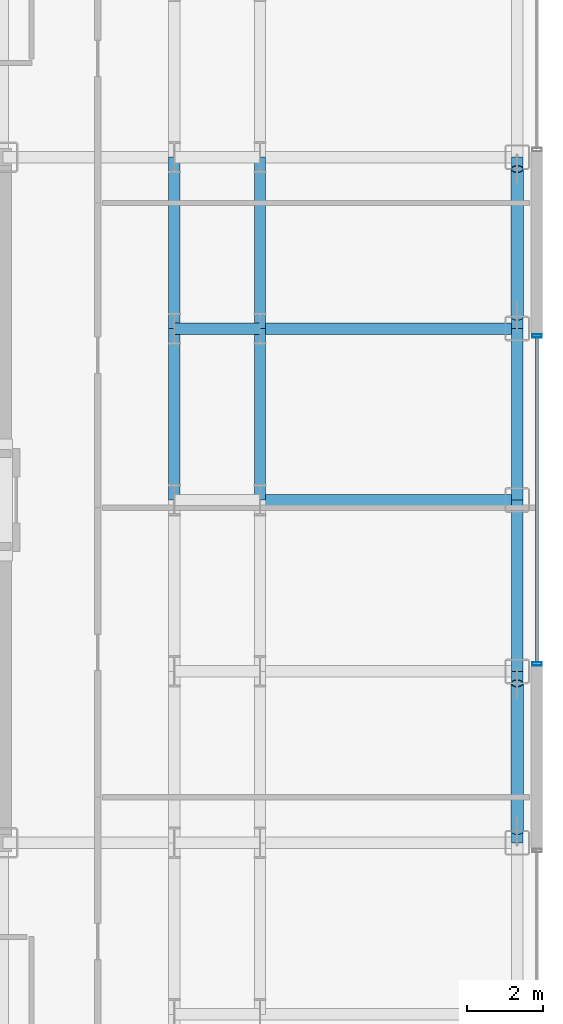
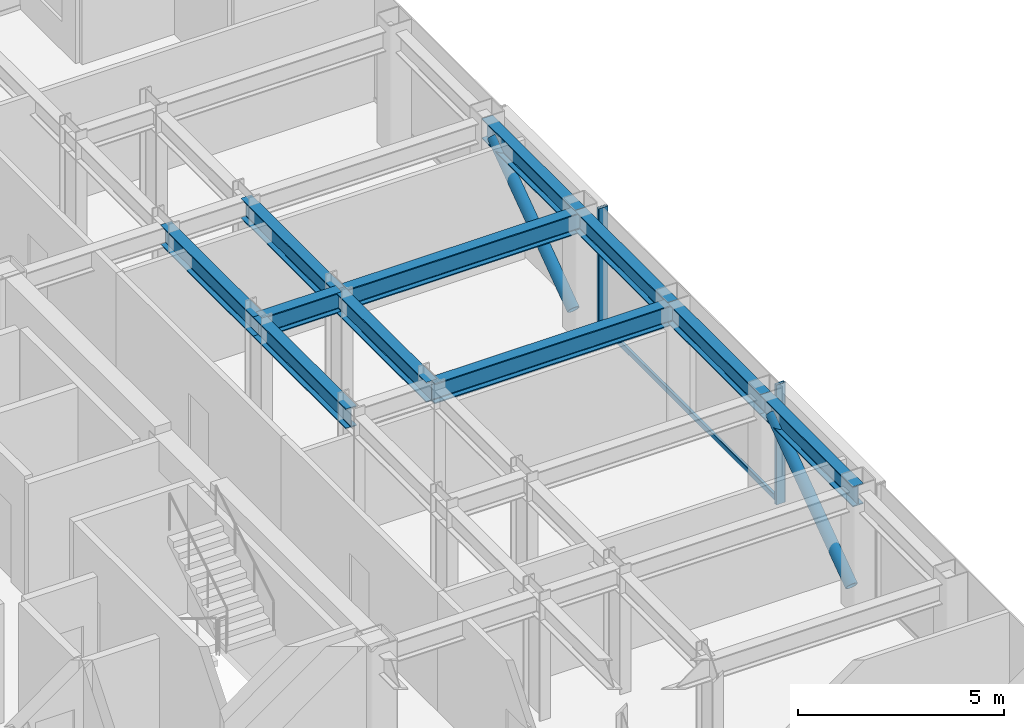
# One storey, part 8 of 21: 11 beams, 5 members, 1 element without a shape of its own.
"""IFC4 building model written with IfcOpenShell, lengths in metres."""

from ifc_helpers import new_model, si_unit, direction, frame, origin, origin_2d, place, context, subcontext, project, spatial, hollow_rectangle, hollow_circle, i_section, extrude, source, transform, mapped, material, layer, layer_set, material_profile, profile_set, type_object, element, aggregate, save


model = new_model("IFC4")

# Units and contexts
model_context = context("Model", 3, precision=1e-05, world=origin(), true_north=direction((0.0, 1.0)))
body_context = subcontext(model_context, "Body", "Model", "MODEL_VIEW")
ifc_project = project(units=[si_unit("LENGTHUNIT", "METRE"), si_unit("AREAUNIT", "SQUARE_METRE"), si_unit("VOLUMEUNIT", "CUBIC_METRE"), si_unit("PLANEANGLEUNIT", "RADIAN"), si_unit("MASSUNIT", "GRAM", prefix="KILO")], contexts=[model_context])

# Site, building, storey
site_placement = place(None, origin())
site = spatial("IfcSite", under=ifc_project, at=site_placement, CompositionType="ELEMENT")
building_placement = place(site_placement, origin())
building = spatial("IfcBuilding", under=site, at=building_placement, Name="Nefas-Gora Pilgrimage Tower", CompositionType="ELEMENT")
storey_placement = place(building_placement, frame((0.0, 0.0, 229.39990234375)))
storey = spatial("IfcBuildingStorey", under=building, at=storey_placement, Name="L57", CompositionType="ELEMENT", Elevation=229.39990234375)

# Beams
ifc_material_1 = material(Name="Steel S355", Category="steel")
ifc_material_profile_1 = material_profile(ifc_material_1, i_section(OverallWidth=0.300048828125, OverallDepth=0.60009765625, WebThickness=0.015380859375, FlangeThickness=0.030029296875, FilletRadius=0.027099609375, at=origin_2d()), Name="HEB 600")
ifc_profile_set_1 = profile_set([ifc_material_profile_1], Name="Steel S355")
beam_type_1 = type_object("IfcBeamType", Name="BM-SPN-HEB450", PredefinedType="SPANDREL", material=ifc_profile_set_1)
shared_shape_1 = source(origin(), body_context, "Body", "SweptSolid", [
    extrude(i_section(OverallWidth=0.300048828125, OverallDepth=0.60009765625, WebThickness=0.015380859375, FlangeThickness=0.030029296875, FilletRadius=0.027099609375, at=origin_2d()), origin(), (0.0, 0.0, 1.0), 4.5),
])
for number, where, z_axis, x_axis, name in (
    (1, (24.75, -9.0, 3.25), (0.0, 1.0, 0.0), (-1.0, 0.0, 0.0), "L57 SP-03 beam"),
    (2, (24.75, -4.5, 3.25), (0.0, 1.0, 0.0), (-1.0, 0.0, 0.0), "L57 SP-03 beam"),
    (3, (24.75, 0.0, 3.25), (0.0, 1.0, 0.0), (-1.0, 0.0, 0.0), "L57 SP-03 beam"),
    (4, (24.75, 4.5, 3.25), (0.0, 1.0, 0.0), (-1.0, 0.0, 0.0), "L57 SP-03 beam"),
):
    element("IfcBeam", number, at=place(storey_placement, frame(where, z_axis=z_axis, x_axis=x_axis)), inside=storey, type_object=beam_type_1, Name=name, PredefinedType="SPANDREL", context=body_context, shape_type="MappedRepresentation", body=[
        mapped(shared_shape_1, transform((0.0, 0.0, 0.0), x_axis=(1.0, 0.0, 0.0), y_axis=(0.0, 1.0, 0.0), z_axis=(0.0, 0.0, 1.0), scale=1.0)),
    ])
ifc_material_profile_2 = material_profile(ifc_material_1, i_section(OverallWidth=0.300048828125, OverallDepth=0.60009765625, WebThickness=0.015380859375, FlangeThickness=0.030029296875, FilletRadius=0.027099609375, at=origin_2d()), Name="HEB 600")
ifc_profile_set_2 = profile_set([ifc_material_profile_2], Name="Steel S355")
beam_type_2 = type_object("IfcBeamType", Name="BM-GIR-HEB600", PredefinedType="BEAM", material=ifc_profile_set_2)
shared_shape_2 = source(origin(), body_context, "Body", "SweptSolid", [
    extrude(i_section(OverallWidth=0.300048828125, OverallDepth=0.60009765625, WebThickness=0.015380859375, FlangeThickness=0.030029296875, FilletRadius=0.027099609375, at=origin_2d()), origin(), (0.0, 0.0, 1.0), 4.5),
])
for number, where, z_axis, x_axis, name in (
    (5, (15.75, 0.0, 3.25), (0.0, 1.0, 0.0), (-1.0, 0.0, 0.0), "L57 G-04 beam"),
    (6, (15.75, 4.5, 3.25), (0.0, 1.0, 0.0), (-1.0, 0.0, 0.0), "L57 G-04 beam"),
    (7, (18.0, 0.0, 3.25), (0.0, 1.0, 0.0), (-1.0, 0.0, 0.0), "L57 G-04 beam"),
    (8, (18.0, 4.5, 3.25), (0.0, 1.0, 0.0), (-1.0, 0.0, 0.0), "L57 G-04 beam"),
):
    element("IfcBeam", number, at=place(storey_placement, frame(where, z_axis=z_axis, x_axis=x_axis)), inside=storey, type_object=beam_type_2, Name=name, PredefinedType="BEAM", context=body_context, shape_type="MappedRepresentation", body=[
        mapped(shared_shape_2, transform((0.0, 0.0, 0.0), x_axis=(1.0, 0.0, 0.0), y_axis=(0.0, 1.0, 0.0), z_axis=(0.0, 0.0, 1.0), scale=1.0)),
    ])
shared_shape_3 = source(origin(), body_context, "Body", "SweptSolid", [
    extrude(i_section(OverallWidth=0.300048828125, OverallDepth=0.60009765625, WebThickness=0.015380859375, FlangeThickness=0.030029296875, FilletRadius=0.027099609375, at=origin_2d()), origin(), (0.0, 0.0, 1.0), 6.75),
])
for number, where, z_axis, x_axis, name in (
    (9, (18.0, 0.0, 3.25), (1.0, 0.0, 0.0), (0.0, 1.0, 0.0), "L57 G-04 beam"),
    (10, (18.0, 4.5, 3.25), (1.0, 0.0, 0.0), (0.0, 1.0, 0.0), "L57 G-04 beam"),
):
    element("IfcBeam", number, at=place(storey_placement, frame(where, z_axis=z_axis, x_axis=x_axis)), inside=storey, type_object=beam_type_2, Name=name, PredefinedType="BEAM", context=body_context, shape_type="MappedRepresentation", body=[
        mapped(shared_shape_3, transform((0.0, 0.0, 0.0), x_axis=(1.0, 0.0, 0.0), y_axis=(0.0, 1.0, 0.0), z_axis=(0.0, 0.0, 1.0), scale=1.0)),
    ])
shared_shape_4 = source(origin(), body_context, "Body", "SweptSolid", [
    extrude(i_section(OverallWidth=0.300048828125, OverallDepth=0.60009765625, WebThickness=0.015380859375, FlangeThickness=0.030029296875, FilletRadius=0.027099609375, at=origin_2d()), origin(), (0.0, 0.0, 1.0), 2.25),
])
beam_placement = place(storey_placement, frame((15.75, 4.5, 3.25), z_axis=(1.0, 0.0, 0.0), x_axis=(0.0, 1.0, 0.0)))
element("IfcBeam", 11, at=beam_placement, inside=storey, type_object=beam_type_2, Name="L57 G-04 beam", PredefinedType="BEAM", context=body_context, shape_type="MappedRepresentation", body=[
    mapped(shared_shape_4, transform((0.0, 0.0, 0.0), x_axis=(1.0, 0.0, 0.0), y_axis=(0.0, 1.0, 0.0), z_axis=(0.0, 0.0, 1.0), scale=1.0)),
])

# Members
ifc_material_profile_3 = material_profile(ifc_material_1, hollow_circle(Radius=0.161865234375, WallThickness=0.02001953125, at=origin_2d()), Name="CHS 323.9x20")
ifc_profile_set_3 = profile_set([ifc_material_profile_3], Name="Steel S355")
member_type_1 = type_object("IfcMemberType", Name="MEM-TUBE-324", PredefinedType="BRACE", material=ifc_profile_set_3)
shared_shape_5 = source(origin(), body_context, "Body", "SweptSolid", [
    extrude(hollow_circle(Radius=0.161865234375, WallThickness=0.02001953125, at=origin_2d()), origin(), (0.0, 0.0, 1.0), 4.763671875),
])
for number, where, z_axis, x_axis, name in (
    (12, (24.75, -8.68701171875, 0.3740234375), (0.0, 0.813255312614, 0.581907034246), (-1.0, 0.0, 0.0), "L57 Perimeter Tube Diagonal Brace E1"),
    (13, (24.75, 4.81298828125, 0.3740234375), (0.0, 0.813255312614, 0.581907034246), (-1.0, 0.0, 0.0), "L57 Perimeter Tube Diagonal Brace E2"),
):
    element("IfcMember", number, at=place(storey_placement, frame(where, z_axis=z_axis, x_axis=x_axis)), inside=storey, type_object=member_type_1, Name=name, PredefinedType="BRACE", context=body_context, shape_type="MappedRepresentation", body=[
        mapped(shared_shape_5, transform((0.0, 0.0, 0.0), x_axis=(1.0, 0.0, 0.0), y_axis=(0.0, 1.0, 0.0), z_axis=(0.0, 0.0, 1.0), scale=1.0)),
    ])

# Curtain wall, members
ifc_material_2 = material(Name="Dark ceramic-fritted solar-control aluminium-glass curtain wall", Category="aluminium")
ifc_layer = layer(ifc_material_2, 0.219970703125)
ifc_layer_set = layer_set([ifc_layer], Name="Dark ceramic-fritted solar-control aluminium-glass curtain wall")
curtain_wall_type = type_object("IfcCurtainWallType", Name="CW-SYS-3", PredefinedType="NOTDEFINED", material=ifc_layer_set)
curtain_wall_placement = place(storey_placement, origin())
curtain_wall = element("IfcCurtainWall", 14, at=curtain_wall_placement, inside=storey, type_object=curtain_wall_type, Name="L57 Unitised Curtain Wall CW3", PredefinedType="NOTDEFINED")
ifc_material_3 = material(Name="Anodised architectural aluminium", Category="aluminium")
ifc_material_profile_4 = material_profile(ifc_material_3, hollow_rectangle(XDim=0.090087890625, YDim=0.260009765625, WallThickness=0.006103515625, InnerFilletRadius=0.006103515625, OuterFilletRadius=0.011962890625, at=origin_2d()), Name="ALU MULLION 90x260")
ifc_profile_set_4 = profile_set([ifc_material_profile_4], Name="Anodised architectural aluminium")
member_type_2 = type_object("IfcMemberType", Name="CWM-MUL-3", PredefinedType="MULLION", material=ifc_profile_set_4)
shared_shape_6 = source(origin(), body_context, "Body", "SweptSolid", [
    extrude(hollow_rectangle(XDim=0.090087890625, YDim=0.260009765625, WallThickness=0.006103515625, InnerFilletRadius=0.006103515625, OuterFilletRadius=0.011962890625, at=origin_2d()), origin(), (0.0, 0.0, 1.0), 3.550048828125),
])
member_1_placement = place(storey_placement, frame((25.27001953125, -4.304931640625, 0.0), z_axis=(0.0, 0.0, 1.0), x_axis=(0.0, 1.0, 0.0)))
member_1 = element("IfcMember", 15, at=member_1_placement, type_object=member_type_2, Name="CW3 Mullion 1", PredefinedType="MULLION", context=body_context, shape_type="MappedRepresentation", body=[
    mapped(shared_shape_6, transform((0.0, 0.0, 0.0), x_axis=(1.0, 0.0, 0.0), y_axis=(0.0, 1.0, 0.0), z_axis=(0.0, 0.0, 1.0), scale=1.0)),
])
member_2_placement = place(storey_placement, frame((25.27001953125, 4.304931640625, 0.0), z_axis=(0.0, 0.0, 1.0), x_axis=(0.0, 1.0, 0.0)))
member_2 = element("IfcMember", 16, at=member_2_placement, type_object=member_type_2, Name="CW3 Mullion 2", PredefinedType="MULLION", context=body_context, shape_type="MappedRepresentation", body=[
    mapped(shared_shape_6, transform((0.0, 0.0, 0.0), x_axis=(1.0, 0.0, 0.0), y_axis=(0.0, 1.0, 0.0), z_axis=(0.0, 0.0, 1.0), scale=1.0)),
])
ifc_material_profile_5 = material_profile(ifc_material_3, hollow_rectangle(XDim=0.080078125, YDim=0.159912109375, WallThickness=0.00439453125, InnerFilletRadius=0.00439453125, OuterFilletRadius=0.009033203125, at=origin_2d()), Name="ALU TRANSOM 80x160")
ifc_profile_set_5 = profile_set([ifc_material_profile_5], Name="Anodised architectural aluminium")
member_type_3 = type_object("IfcMemberType", Name="CWM-TRN-3", PredefinedType="USERDEFINED", material=ifc_profile_set_5)
shared_shape_7 = source(origin(), body_context, "Body", "SweptSolid", [
    extrude(hollow_rectangle(XDim=0.080078125, YDim=0.159912109375, WallThickness=0.00439453125, InnerFilletRadius=0.00439453125, OuterFilletRadius=0.009033203125, at=origin_2d()), origin(), (0.0, 0.0, 1.0), 8.52001953125),
])
member_3_placement = place(storey_placement, frame((25.27001953125, -4.260009765625, 0.050048828125), z_axis=(0.0, 1.0, 0.0), x_axis=(-1.0, 0.0, 0.0)))
member_3 = element("IfcMember", 17, at=member_3_placement, type_object=member_type_3, Name="CW3 Spandrel Transom", ObjectType="TRANSOM", PredefinedType="USERDEFINED", context=body_context, shape_type="MappedRepresentation", body=[
    mapped(shared_shape_7, transform((0.0, 0.0, 0.0), x_axis=(1.0, 0.0, 0.0), y_axis=(0.0, 1.0, 0.0), z_axis=(0.0, 0.0, 1.0), scale=1.0)),
])
aggregate(curtain_wall, [member_1, member_2, member_3])

save(model, "model.ifc")
